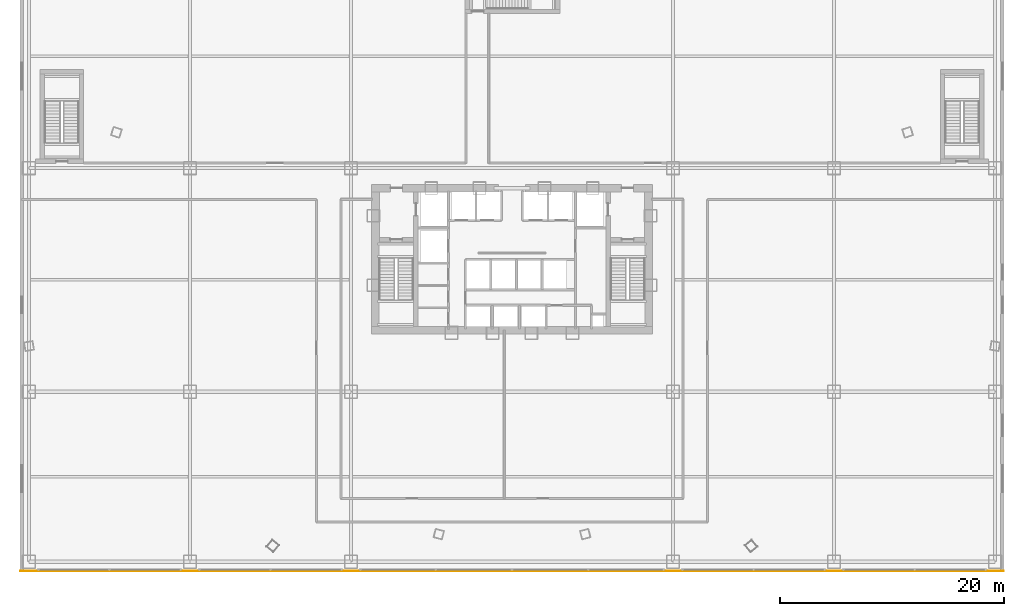
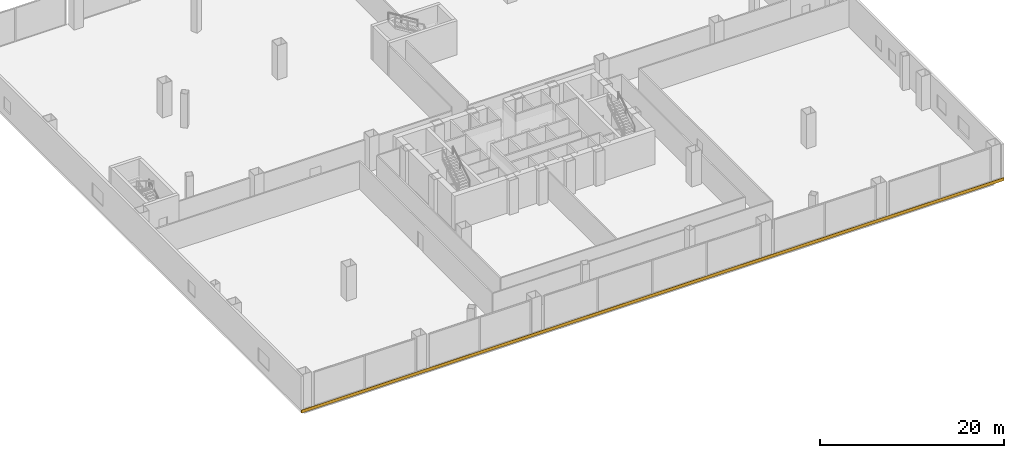
# One storey, part 37 of 40: 1 covering.
"""IFC4 building model written with IfcOpenShell, lengths in metres."""

import ifcopenshell
import ifcopenshell.guid

model = None  # the IFC model being written
_history = None  # IfcOwnerHistory: only IFC2X3 demands one
_inside = {}  # id of a spatial element -> (the spatial element, [elements in it])
_under = {}  # id of a project, library or spatial element -> (it, [spatial elements below it])
_declared = {}  # id of a project -> (the project, [libraries it declares])
_typed = {}  # id of a type object -> (the type object, [elements of that type])
_made_of = {}  # id of a material, layer set ... -> (it, [elements and type objects made of it])


def new_model(schema):
    """Start an empty IFC model of exactly this schema.

    Asked for "IFC4X3", IfcOpenShell would pick the latest addendum, in which some entities
    have other attributes; the version numbers below select the first issue.
    IFC2X3 requires an IfcOwnerHistory on every rooted entity: one is made here for all.
    """
    global model, _history
    if schema == "IFC4X3":
        model = ifcopenshell.file(schema_version=(4, 3, 0, 0))
    else:
        model = ifcopenshell.file(schema=schema)
    _inside.clear()
    _under.clear()
    _declared.clear()
    _typed.clear()
    _made_of.clear()
    _history = None
    if model.schema == "IFC2X3":
        org = make("IfcOrganization", Name="unknown")
        user = make(
            "IfcPersonAndOrganization",
            ThePerson=make("IfcPerson", FamilyName="unknown"),
            TheOrganization=org,
        )
        app = make(
            "IfcApplication",
            ApplicationDeveloper=org,
            Version="unknown",
            ApplicationFullName="unknown",
            ApplicationIdentifier="unknown",
        )
        _history = make(
            "IfcOwnerHistory",
            OwningUser=user,
            OwningApplication=app,
            ChangeAction="ADDED",
            CreationDate=0,
        )
    return model


def make(cls, **values):
    """One entity of the class cls with the attributes given. An attribute that is None is left unset."""
    return model.create_entity(
        cls, **{name: value for name, value in values.items() if value is not None}
    )


def rooted(cls, **values):
    """An entity with a GlobalId (a new one), such as an element, a storey or a relation."""
    return make(cls, GlobalId=ifcopenshell.guid.new(), OwnerHistory=_history, **values)


def si_unit(unit_type, name, prefix=None):
    """IfcSIUnit, for example si_unit("LENGTHUNIT", "METRE", prefix="MILLI")."""
    return make("IfcSIUnit", UnitType=unit_type, Prefix=prefix, Name=name)


def assignment(units):
    """IfcUnitAssignment: the units of a project."""
    return None if units is None else make("IfcUnitAssignment", Units=units)


def point(xyz):
    """IfcCartesianPoint."""
    return None if xyz is None else make("IfcCartesianPoint", Coordinates=xyz)


def direction(xyz):
    """IfcDirection."""
    return None if xyz is None else make("IfcDirection", DirectionRatios=xyz)


def frame(location, z_axis=None, x_axis=None):
    """IfcAxis2Placement3D, a coordinate frame: its origin and axes. An axis left out is left unset."""
    return make(
        "IfcAxis2Placement3D",
        Location=point(location),
        Axis=direction(z_axis),
        RefDirection=direction(x_axis),
    )


def frame_2d(location, x_axis=None):
    """IfcAxis2Placement2D, a coordinate frame in the plane: its origin and x axis."""
    return make(
        "IfcAxis2Placement2D", Location=point(location), RefDirection=direction(x_axis)
    )


def origin():
    """The frame at (0, 0, 0) with its axes left unset."""
    return frame((0.0, 0.0, 0.0))


def origin_2d():
    """The frame at (0, 0) in the plane with its x axis left unset."""
    return frame_2d((0.0, 0.0))


def place(relative_to, where):
    """IfcLocalPlacement: puts the frame where relative to a parent placement (None: the world)."""
    return make(
        "IfcLocalPlacement", PlacementRelTo=relative_to, RelativePlacement=where
    )


def context(
    kind, dimensions, precision=None, world=None, true_north=None, identifier=None
):
    """IfcGeometricRepresentationContext, for example the 3D "Model" context."""
    return make(
        "IfcGeometricRepresentationContext",
        ContextIdentifier=identifier,
        ContextType=kind,
        CoordinateSpaceDimension=dimensions,
        Precision=precision,
        WorldCoordinateSystem=world,
        TrueNorth=true_north,
    )


def subcontext(parent, identifier, kind, view, scale=None):
    """IfcGeometricRepresentationSubContext, for example "Body" below "Model"."""
    return make(
        "IfcGeometricRepresentationSubContext",
        ContextIdentifier=identifier,
        ContextType=kind,
        ParentContext=parent,
        TargetScale=scale,
        TargetView=view,
    )


def project(units=None, contexts=None):
    """IfcProject with its units and contexts."""
    return rooted(
        "IfcProject",
        Name="project",
        RepresentationContexts=contexts,
        UnitsInContext=assignment(units),
    )


def spatial(cls, under=None, at=None, **own):
    """A site, building, storey or space (cls), placed at a placement, below another one or the project."""
    s = rooted(cls, ObjectPlacement=at, **own)
    if under is not None:
        _under.setdefault(under.id(), (under, []))[1].append(s)
    return s


def profile(cls, at=None, kind="AREA", **sizes):
    """A parametric profile (cls). Its sizes go by their IFC names, for example OverallWidth=200.0."""
    return make(cls, ProfileType=kind, Position=at, **sizes)


def rectangle(**sizes):
    """IfcRectangleProfileDef."""
    return profile("IfcRectangleProfileDef", **sizes)


def extrude(swept, where, along, depth):
    """IfcExtrudedAreaSolid: the profile swept, set in the frame where, extruded along a direction by depth."""
    return make(
        "IfcExtrudedAreaSolid",
        SweptArea=swept,
        Position=where,
        ExtrudedDirection=direction(along),
        Depth=depth,
    )


def shape(context_of_items, identifier, shape_type, items):
    """IfcShapeRepresentation: the items that make up one representation, for example the "Body"."""
    return make(
        "IfcShapeRepresentation",
        ContextOfItems=context_of_items,
        RepresentationIdentifier=identifier,
        RepresentationType=shape_type,
        Items=items,
    )


def source(mapping_origin, context_of_items, identifier, shape_type, items):
    """IfcRepresentationMap: a shape defined once, which mapped items show again and again."""
    return make(
        "IfcRepresentationMap",
        MappingOrigin=mapping_origin,
        MappedRepresentation=shape(context_of_items, identifier, shape_type, items),
    )


def transform(
    local_origin,
    x_axis=None,
    y_axis=None,
    z_axis=None,
    scale=None,
    scale2=None,
    scale3=None,
    uniform=True,
):
    """IfcCartesianTransformationOperator3D, or its non-uniform kind. x_axis, y_axis, z_axis: its Axis1, 2, 3."""
    if uniform:
        return make(
            "IfcCartesianTransformationOperator3D",
            Axis1=direction(x_axis),
            Axis2=direction(y_axis),
            LocalOrigin=point(local_origin),
            Scale=scale,
            Axis3=direction(z_axis),
        )
    return make(
        "IfcCartesianTransformationOperator3DnonUniform",
        Axis1=direction(x_axis),
        Axis2=direction(y_axis),
        LocalOrigin=point(local_origin),
        Scale=scale,
        Axis3=direction(z_axis),
        Scale2=scale2,
        Scale3=scale3,
    )


def mapped(mapping_source, mapping_target):
    """IfcMappedItem: shows the shape of a source again, moved by a transform."""
    return make(
        "IfcMappedItem", MappingSource=mapping_source, MappingTarget=mapping_target
    )


def material(Name=None, Category=None):
    """IfcMaterial."""
    return make("IfcMaterial", Name=Name, Category=Category)


def layer(
    of_material, thickness, ventilated=None, Name=None, Category=None, Priority=None
):
    """IfcMaterialLayer: one layer of a wall or slab, of a material (None: an air gap)."""
    return make(
        "IfcMaterialLayer",
        Material=of_material,
        LayerThickness=thickness,
        IsVentilated=ventilated,
        Name=Name,
        Category=Category,
        Priority=Priority,
    )


def layer_set(layers, Name=None):
    """IfcMaterialLayerSet."""
    return make("IfcMaterialLayerSet", MaterialLayers=layers, LayerSetName=Name)


def made_of(thing, what):
    """Note that an element or type object is made of a material, layer set ...; save() writes the relation."""
    if what is not None:
        _made_of.setdefault(what.id(), (what, []))[1].append(thing)
    return thing


def type_object(cls, material=None, **own):
    """A type object (cls), such as IfcWallType, which elements share."""
    return made_of(rooted(cls, **own), material)


def element(
    cls,
    number,
    at=None,
    inside=None,
    cuts=None,
    type_object=None,
    material=None,
    context=None,
    identifier="Body",
    shape_type=None,
    held_by="IfcProductDefinitionShape",
    body=None,
    shapes=None,
    **own,
):
    """One element of the class cls, such as IfcWall. Its Tag is "e" and its number.

    at: its placement. inside: the storey or other place that contains it. cuts: it is an
    opening in that element (IfcRelVoidsElement). A single representation is given by context,
    identifier, shape_type and body (its items); several are given by shapes. held_by: the class
    of the entity that holds the representations. save() writes the other relations.
    """
    e = rooted(cls, Tag="e%d" % number, ObjectPlacement=at, **own)
    if body is not None:
        shapes = [shape(context, identifier, shape_type, body)]
    if shapes is not None:
        e.Representation = make(held_by, Representations=shapes)
    if inside is not None:
        _inside.setdefault(inside.id(), (inside, []))[1].append(e)
    if cuts is not None:
        rooted(
            "IfcRelVoidsElement", RelatingBuildingElement=cuts, RelatedOpeningElement=e
        )
    if type_object is not None:
        _typed.setdefault(type_object.id(), (type_object, []))[1].append(e)
    return made_of(e, material)


def aggregate(whole, parts):
    """IfcRelAggregates: a whole, such as a stair, and the parts it consists of."""
    return rooted("IfcRelAggregates", RelatingObject=whole, RelatedObjects=parts)


def save(model, path):
    """Write the relations noted so far, then the file.

    IfcRelAggregates (storeys below a building ...), IfcRelContainedInSpatialStructure (elements
    in a storey), IfcRelDefinesByType, IfcRelAssociatesMaterial and IfcRelDeclares: one each for
    every whole, place, type object, material and project.
    """
    for whole, parts in _under.values():
        aggregate(whole, parts)
    for where, things in _inside.values():
        rooted(
            "IfcRelContainedInSpatialStructure",
            RelatedElements=things,
            RelatingStructure=where,
        )
    for kind, things in _typed.values():
        rooted("IfcRelDefinesByType", RelatedObjects=things, RelatingType=kind)
    for what, things in _made_of.values():
        rooted("IfcRelAssociatesMaterial", RelatedObjects=things, RelatingMaterial=what)
    for by, libraries in _declared.values():
        rooted("IfcRelDeclares", RelatingContext=by, RelatedDefinitions=libraries)
    model.write(path)


model = new_model("IFC4")

# Units and contexts
model_context = context("Model", 3, precision=1e-05, world=origin(), true_north=direction((0.0, 1.0)))
body_context = subcontext(model_context, "Body", "Model", "MODEL_VIEW")
ifc_project = project(units=[si_unit("LENGTHUNIT", "METRE"), si_unit("AREAUNIT", "SQUARE_METRE"), si_unit("VOLUMEUNIT", "CUBIC_METRE"), si_unit("PLANEANGLEUNIT", "RADIAN"), si_unit("MASSUNIT", "GRAM", prefix="KILO"), si_unit("THERMODYNAMICTEMPERATUREUNIT", "KELVIN"), si_unit("POWERUNIT", "WATT")], contexts=[model_context])

# Site, building, storey
site_placement = place(None, origin())
site = spatial("IfcSite", under=ifc_project, at=site_placement, CompositionType="ELEMENT")
building_placement = place(site_placement, origin())
building = spatial("IfcBuilding", under=site, at=building_placement, Name="Yunzhuo Pagoda Commons", CompositionType="ELEMENT")
storey_placement = place(building_placement, frame((0.0, 0.0, 14.39990234375)))
storey = spatial("IfcBuildingStorey", under=building, at=storey_placement, Name="L04", CompositionType="ELEMENT", Elevation=14.39990234375)

# Covering
ifc_material = material(Name="Anodized aluminium 6063-T6", Category="aluminium")
ifc_layer = layer(ifc_material, 0.0400390625)
ifc_layer_set = layer_set([ifc_layer], Name="Anodized aluminium 6063-T6")
covering_type = type_object("IfcCoveringType", Name="COV-CLD1 Anodized Podium Fascia Cladding", PredefinedType="CLADDING", material=ifc_layer_set)
shared_shape = source(origin(), body_context, "Body", "SweptSolid", [
    extrude(rectangle(XDim=88.0, YDim=0.0400390625, at=origin_2d()), origin(), (0.0, 0.0, 1.0), 0.39990234375),
])
covering_placement = place(storey_placement, frame((48.0, 5.97998046875, -0.33984375), z_axis=(0.0, 0.0, 1.0), x_axis=(1.0, 0.0, 0.0)))
element("IfcCovering", 1, at=covering_placement, inside=storey, type_object=covering_type, Name="L04 south podium fascia cladding", PredefinedType="CLADDING", context=body_context, shape_type="MappedRepresentation", body=[
    mapped(shared_shape, transform((0.0, 0.0, 0.0), scale=1.0)),
])

save(model, "model.ifc")
